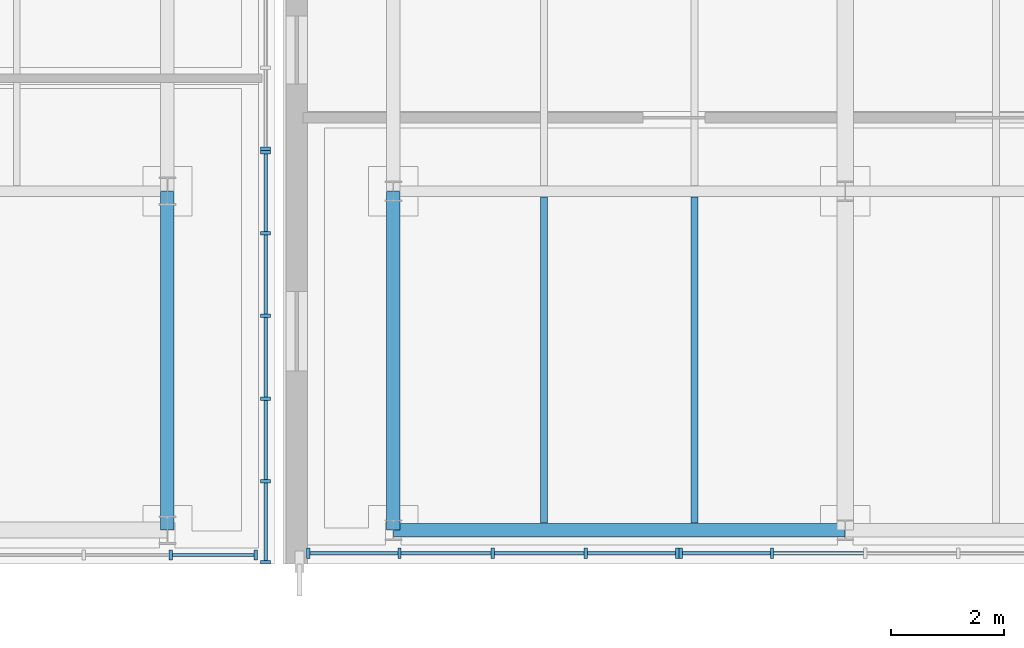
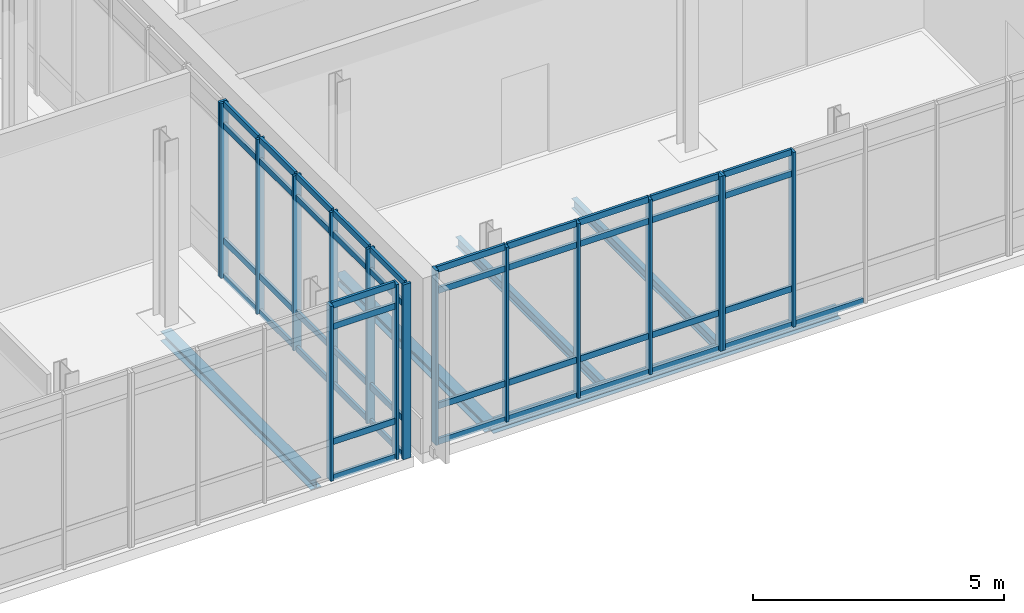
# One storey, part 30 of 100: 61 members, 5 beams, 5 elements without a shape of their own.
"""IFC4 building model written with IfcOpenShell, lengths in metres."""

from ifc_helpers import new_model, si_unit, direction, frame, origin, origin_2d, place, context, subcontext, project, spatial, rectangle, i_section, extrude, material, material_profile, profile_set, type_object, element, aggregate, save


model = new_model("IFC4")

# Units and contexts
model_context = context("Model", 3, precision=1e-05, world=origin(), true_north=direction((0.0, 1.0)))
body_context = subcontext(model_context, "Body", "Model", "MODEL_VIEW")
ifc_project = project(units=[si_unit("LENGTHUNIT", "METRE"), si_unit("AREAUNIT", "SQUARE_METRE"), si_unit("VOLUMEUNIT", "CUBIC_METRE"), si_unit("PLANEANGLEUNIT", "RADIAN"), si_unit("MASSUNIT", "GRAM", prefix="KILO")], contexts=[model_context])

# Site, building, storey
site_placement = place(None, origin())
site = spatial("IfcSite", under=ifc_project, at=site_placement, CompositionType="ELEMENT")
building_placement = place(site_placement, origin())
building = spatial("IfcBuilding", under=site, at=building_placement, Name="Cymarion Research Institute", CompositionType="ELEMENT")
storey_placement = place(building_placement, frame((0.0, 0.0, 9.300048828125)))
storey = spatial("IfcBuildingStorey", under=building, at=storey_placement, Name="L02", CompositionType="ELEMENT", Elevation=9.300048828125)

# Curtain wall, members
ifc_material_1 = material(Name="Anodised aluminium unitised curtain wall with Low-E glazing", Category="aluminium")
curtain_wall_type_1 = type_object("IfcCurtainWallType", Name="UNITISED CURTAIN WALL CW01 6590X4250", PredefinedType="NOTDEFINED", material=ifc_material_1)
curtain_wall_1_placement = place(storey_placement, origin())
curtain_wall_1 = element("IfcCurtainWall", 1, at=curtain_wall_1_placement, inside=storey, type_object=curtain_wall_type_1, Name="L02 V1 unitised curtain wall CW01 #60", PredefinedType="NOTDEFINED")
ifc_material_2 = material(Name="Anodised aluminium framing", Category="aluminium")
ifc_material_profile_1 = material_profile(ifc_material_2, rectangle(XDim=0.06005859375, YDim=0.179931640625, at=origin_2d()), Name="ALU MULLION 60x180")
ifc_profile_set_1 = profile_set([ifc_material_profile_1], Name="Anodised aluminium framing")
member_type_1 = type_object("IfcMemberType", Name="CURTAIN WALL MULLION ML01 60X180", PredefinedType="MULLION", material=ifc_profile_set_1)
member_1_placement = place(storey_placement, frame((105.092041015625, 5.090087890625, 0.0), z_axis=(0.0, 0.0, 1.0), x_axis=(1.0, 0.0, 0.0)))
member_1 = element("IfcMember", 2, at=member_1_placement, type_object=member_type_1, Name="CW01 mullion 1", PredefinedType="MULLION", context=body_context, shape_type="SweptSolid", body=[
    extrude(rectangle(XDim=0.06005859375, YDim=0.179931640625, at=origin_2d()), origin(), (0.0, 0.0, 1.0), 4.25),
])
member_2_placement = place(storey_placement, frame((106.710205078125, 5.090087890625, 0.0), z_axis=(0.0, 0.0, 1.0), x_axis=(1.0, 0.0, 0.0)))
member_2 = element("IfcMember", 3, at=member_2_placement, type_object=member_type_1, Name="CW01 mullion 2", PredefinedType="MULLION", context=body_context, shape_type="SweptSolid", body=[
    extrude(rectangle(XDim=0.06005859375, YDim=0.179931640625, at=origin_2d()), origin(), (0.0, 0.0, 1.0), 4.25),
])
member_3_placement = place(storey_placement, frame((108.358642578125, 5.090087890625, 0.0), z_axis=(0.0, 0.0, 1.0), x_axis=(1.0, 0.0, 0.0)))
member_3 = element("IfcMember", 4, at=member_3_placement, type_object=member_type_1, Name="CW01 mullion 3", PredefinedType="MULLION", context=body_context, shape_type="SweptSolid", body=[
    extrude(rectangle(XDim=0.06005859375, YDim=0.179931640625, at=origin_2d()), origin(), (0.0, 0.0, 1.0), 4.25),
])
member_4_placement = place(storey_placement, frame((110.0068359375, 5.090087890625, 0.0), z_axis=(0.0, 0.0, 1.0), x_axis=(1.0, 0.0, 0.0)))
member_4 = element("IfcMember", 5, at=member_4_placement, type_object=member_type_1, Name="CW01 mullion 4", PredefinedType="MULLION", context=body_context, shape_type="SweptSolid", body=[
    extrude(rectangle(XDim=0.06005859375, YDim=0.179931640625, at=origin_2d()), origin(), (0.0, 0.0, 1.0), 4.25),
])
member_5_placement = place(storey_placement, frame((111.625, 5.090087890625, 0.0), z_axis=(0.0, 0.0, 1.0), x_axis=(1.0, 0.0, 0.0)))
member_5 = element("IfcMember", 6, at=member_5_placement, type_object=member_type_1, Name="CW01 mullion 5", PredefinedType="MULLION", context=body_context, shape_type="SweptSolid", body=[
    extrude(rectangle(XDim=0.06005859375, YDim=0.179931640625, at=origin_2d()), origin(), (0.0, 0.0, 1.0), 4.25),
])

curtain_wall_2_placement = place(storey_placement, origin())
curtain_wall_2 = element("IfcCurtainWall", 7, at=curtain_wall_2_placement, inside=storey, type_object=curtain_wall_type_1, Name="L02 V1 unitised curtain wall CW01 #61", PredefinedType="NOTDEFINED")
member_6_placement = place(storey_placement, frame((111.68505859375, 5.090087890625, 0.0), z_axis=(0.0, 0.0, 1.0), x_axis=(1.0, 0.0, 0.0)))
member_6 = element("IfcMember", 8, at=member_6_placement, type_object=member_type_1, Name="CW01 mullion 1", PredefinedType="MULLION", context=body_context, shape_type="SweptSolid", body=[
    extrude(rectangle(XDim=0.06005859375, YDim=0.179931640625, at=origin_2d()), origin(), (0.0, 0.0, 1.0), 4.25),
])
member_7_placement = place(storey_placement, frame((113.303466796875, 5.090087890625, 0.0), z_axis=(0.0, 0.0, 1.0), x_axis=(1.0, 0.0, 0.0)))
member_7 = element("IfcMember", 9, at=member_7_placement, type_object=member_type_1, Name="CW01 mullion 2", PredefinedType="MULLION", context=body_context, shape_type="SweptSolid", body=[
    extrude(rectangle(XDim=0.06005859375, YDim=0.179931640625, at=origin_2d()), origin(), (0.0, 0.0, 1.0), 4.25),
])

curtain_wall_type_2 = type_object("IfcCurtainWallType", Name="UNITISED CURTAIN WALL CW07 6150X4250", PredefinedType="NOTDEFINED", material=ifc_material_1)
curtain_wall_3_placement = place(storey_placement, origin())
curtain_wall_3 = element("IfcCurtainWall", 10, at=curtain_wall_3_placement, inside=storey, type_object=curtain_wall_type_2, Name="L02 V2 unitised curtain wall CW07 #77", PredefinedType="NOTDEFINED")
member_8_placement = place(storey_placement, frame((102.66064453125, 5.06005859375, 0.0), z_axis=(0.0, 0.0, 1.0), x_axis=(1.0, 0.0, 0.0)))
member_8 = element("IfcMember", 11, at=member_8_placement, type_object=member_type_1, Name="CW07 mullion 4", PredefinedType="MULLION", context=body_context, shape_type="SweptSolid", body=[
    extrude(rectangle(XDim=0.06005859375, YDim=0.179931640625, at=origin_2d()), origin(), (0.0, 0.0, 1.0), 4.25),
])
member_9_placement = place(storey_placement, frame((104.16796875, 5.06005859375, 0.0), z_axis=(0.0, 0.0, 1.0), x_axis=(1.0, 0.0, 0.0)))
member_9 = element("IfcMember", 12, at=member_9_placement, type_object=member_type_1, Name="CW07 mullion 5", PredefinedType="MULLION", context=body_context, shape_type="SweptSolid", body=[
    extrude(rectangle(XDim=0.06005859375, YDim=0.179931640625, at=origin_2d()), origin(), (0.0, 0.0, 1.0), 4.25),
])

curtain_wall_type_3 = type_object("IfcCurtainWallType", Name="UNITISED CURTAIN WALL CW08 7320X4250", PredefinedType="NOTDEFINED", material=ifc_material_1)
curtain_wall_4_placement = place(storey_placement, origin())
curtain_wall_4 = element("IfcCurtainWall", 13, at=curtain_wall_4_placement, inside=storey, type_object=curtain_wall_type_3, Name="L02 V2 unitised curtain wall CW08 #78", PredefinedType="NOTDEFINED")
member_10_placement = place(storey_placement, frame((104.340087890625, 4.929931640625, 0.0), z_axis=(0.0, 0.0, 1.0), x_axis=(0.0, 1.0, 0.0)))
member_10 = element("IfcMember", 14, at=member_10_placement, type_object=member_type_1, Name="CW08 mullion 1", PredefinedType="MULLION", context=body_context, shape_type="SweptSolid", body=[
    extrude(rectangle(XDim=0.06005859375, YDim=0.179931640625, at=origin_2d()), origin(), (0.0, 0.0, 1.0), 4.25),
])
member_11_placement = place(storey_placement, frame((104.340087890625, 6.364013671875, 0.0), z_axis=(0.0, 0.0, 1.0), x_axis=(0.0, 1.0, 0.0)))
member_11 = element("IfcMember", 15, at=member_11_placement, type_object=member_type_1, Name="CW08 mullion 2", PredefinedType="MULLION", context=body_context, shape_type="SweptSolid", body=[
    extrude(rectangle(XDim=0.06005859375, YDim=0.179931640625, at=origin_2d()), origin(), (0.0, 0.0, 1.0), 4.25),
])
member_12_placement = place(storey_placement, frame((104.340087890625, 7.827880859375, 0.0), z_axis=(0.0, 0.0, 1.0), x_axis=(0.0, 1.0, 0.0)))
member_12 = element("IfcMember", 16, at=member_12_placement, type_object=member_type_1, Name="CW08 mullion 3", PredefinedType="MULLION", context=body_context, shape_type="SweptSolid", body=[
    extrude(rectangle(XDim=0.06005859375, YDim=0.179931640625, at=origin_2d()), origin(), (0.0, 0.0, 1.0), 4.25),
])
member_13_placement = place(storey_placement, frame((104.340087890625, 9.2919921875, 0.0), z_axis=(0.0, 0.0, 1.0), x_axis=(0.0, 1.0, 0.0)))
member_13 = element("IfcMember", 17, at=member_13_placement, type_object=member_type_1, Name="CW08 mullion 4", PredefinedType="MULLION", context=body_context, shape_type="SweptSolid", body=[
    extrude(rectangle(XDim=0.06005859375, YDim=0.179931640625, at=origin_2d()), origin(), (0.0, 0.0, 1.0), 4.25),
])
member_14_placement = place(storey_placement, frame((104.340087890625, 10.756103515625, 0.0), z_axis=(0.0, 0.0, 1.0), x_axis=(0.0, 1.0, 0.0)))
member_14 = element("IfcMember", 18, at=member_14_placement, type_object=member_type_1, Name="CW08 mullion 5", PredefinedType="MULLION", context=body_context, shape_type="SweptSolid", body=[
    extrude(rectangle(XDim=0.06005859375, YDim=0.179931640625, at=origin_2d()), origin(), (0.0, 0.0, 1.0), 4.25),
])
member_15_placement = place(storey_placement, frame((104.340087890625, 12.18994140625, 0.0), z_axis=(0.0, 0.0, 1.0), x_axis=(0.0, 1.0, 0.0)))
member_15 = element("IfcMember", 19, at=member_15_placement, type_object=member_type_1, Name="CW08 mullion 6", PredefinedType="MULLION", context=body_context, shape_type="SweptSolid", body=[
    extrude(rectangle(XDim=0.06005859375, YDim=0.179931640625, at=origin_2d()), origin(), (0.0, 0.0, 1.0), 4.25),
])

# Curtain wall, member
curtain_wall_5_placement = place(storey_placement, origin())
curtain_wall_5 = element("IfcCurtainWall", 20, at=curtain_wall_5_placement, inside=storey, type_object=curtain_wall_type_3, Name="L02 V2 unitised curtain wall CW08 #79", PredefinedType="NOTDEFINED")
member_16_placement = place(storey_placement, frame((104.340087890625, 12.25, 0.0), z_axis=(0.0, 0.0, 1.0), x_axis=(0.0, 1.0, 0.0)))
member_16 = element("IfcMember", 21, at=member_16_placement, type_object=member_type_1, Name="CW08 mullion 1", PredefinedType="MULLION", context=body_context, shape_type="SweptSolid", body=[
    extrude(rectangle(XDim=0.06005859375, YDim=0.179931640625, at=origin_2d()), origin(), (0.0, 0.0, 1.0), 4.25),
])
aggregate(curtain_wall_5, [member_16])

# Member
ifc_material_profile_2 = material_profile(ifc_material_2, rectangle(XDim=0.06005859375, YDim=0.14990234375, at=origin_2d()), Name="ALU TRANSOM 60x150")
ifc_profile_set_2 = profile_set([ifc_material_profile_2], Name="Anodised aluminium framing")
member_type_2 = type_object("IfcMemberType", Name="CURTAIN WALL TRANSOM TR01 60X150", PredefinedType="USERDEFINED", material=ifc_profile_set_2)
member_17_placement = place(storey_placement, frame((105.1220703125, 5.090087890625, 0.030029296875), z_axis=(1.0, 0.0, 0.0), x_axis=(0.0, 1.0, 0.0)))
member_17 = element("IfcMember", 22, at=member_17_placement, type_object=member_type_2, Name="CW01 transom 1.1", ObjectType="TRANSOM", PredefinedType="USERDEFINED", context=body_context, shape_type="SweptSolid", body=[
    extrude(rectangle(XDim=0.06005859375, YDim=0.14990234375, at=origin_2d()), origin(), (0.0, 0.0, 1.0), 1.55810546875),
])

member_18_placement = place(storey_placement, frame((105.1220703125, 5.090087890625, 0.89990234375), z_axis=(1.0, 0.0, 0.0), x_axis=(0.0, 1.0, 0.0)))
member_18 = element("IfcMember", 23, at=member_18_placement, type_object=member_type_2, Name="CW01 transom 1.2", ObjectType="TRANSOM", PredefinedType="USERDEFINED", context=body_context, shape_type="SweptSolid", body=[
    extrude(rectangle(XDim=0.06005859375, YDim=0.14990234375, at=origin_2d()), origin(), (0.0, 0.0, 1.0), 1.55810546875),
])

member_19_placement = place(storey_placement, frame((105.1220703125, 5.090087890625, 3.699951171875), z_axis=(1.0, 0.0, 0.0), x_axis=(0.0, 1.0, 0.0)))
member_19 = element("IfcMember", 24, at=member_19_placement, type_object=member_type_2, Name="CW01 transom 1.3", ObjectType="TRANSOM", PredefinedType="USERDEFINED", context=body_context, shape_type="SweptSolid", body=[
    extrude(rectangle(XDim=0.06005859375, YDim=0.14990234375, at=origin_2d()), origin(), (0.0, 0.0, 1.0), 1.55810546875),
])

member_20_placement = place(storey_placement, frame((105.1220703125, 5.090087890625, 4.219970703125), z_axis=(1.0, 0.0, 0.0), x_axis=(0.0, 1.0, 0.0)))
member_20 = element("IfcMember", 25, at=member_20_placement, type_object=member_type_2, Name="CW01 transom 1.4", ObjectType="TRANSOM", PredefinedType="USERDEFINED", context=body_context, shape_type="SweptSolid", body=[
    extrude(rectangle(XDim=0.06005859375, YDim=0.14990234375, at=origin_2d()), origin(), (0.0, 0.0, 1.0), 1.55810546875),
])

member_21_placement = place(storey_placement, frame((106.740234375, 5.090087890625, 0.030029296875), z_axis=(1.0, 0.0, 0.0), x_axis=(0.0, 1.0, 0.0)))
member_21 = element("IfcMember", 26, at=member_21_placement, type_object=member_type_2, Name="CW01 transom 2.1", ObjectType="TRANSOM", PredefinedType="USERDEFINED", context=body_context, shape_type="SweptSolid", body=[
    extrude(rectangle(XDim=0.06005859375, YDim=0.14990234375, at=origin_2d()), origin(), (0.0, 0.0, 1.0), 1.58837890625),
])

member_22_placement = place(storey_placement, frame((106.740234375, 5.090087890625, 0.89990234375), z_axis=(1.0, 0.0, 0.0), x_axis=(0.0, 1.0, 0.0)))
member_22 = element("IfcMember", 27, at=member_22_placement, type_object=member_type_2, Name="CW01 transom 2.2", ObjectType="TRANSOM", PredefinedType="USERDEFINED", context=body_context, shape_type="SweptSolid", body=[
    extrude(rectangle(XDim=0.06005859375, YDim=0.14990234375, at=origin_2d()), origin(), (0.0, 0.0, 1.0), 1.58837890625),
])

member_23_placement = place(storey_placement, frame((106.740234375, 5.090087890625, 3.699951171875), z_axis=(1.0, 0.0, 0.0), x_axis=(0.0, 1.0, 0.0)))
member_23 = element("IfcMember", 28, at=member_23_placement, type_object=member_type_2, Name="CW01 transom 2.3", ObjectType="TRANSOM", PredefinedType="USERDEFINED", context=body_context, shape_type="SweptSolid", body=[
    extrude(rectangle(XDim=0.06005859375, YDim=0.14990234375, at=origin_2d()), origin(), (0.0, 0.0, 1.0), 1.58837890625),
])

member_24_placement = place(storey_placement, frame((106.740234375, 5.090087890625, 4.219970703125), z_axis=(1.0, 0.0, 0.0), x_axis=(0.0, 1.0, 0.0)))
member_24 = element("IfcMember", 29, at=member_24_placement, type_object=member_type_2, Name="CW01 transom 2.4", ObjectType="TRANSOM", PredefinedType="USERDEFINED", context=body_context, shape_type="SweptSolid", body=[
    extrude(rectangle(XDim=0.06005859375, YDim=0.14990234375, at=origin_2d()), origin(), (0.0, 0.0, 1.0), 1.58837890625),
])

member_25_placement = place(storey_placement, frame((108.388671875, 5.090087890625, 0.030029296875), z_axis=(1.0, 0.0, 0.0), x_axis=(0.0, 1.0, 0.0)))
member_25 = element("IfcMember", 30, at=member_25_placement, type_object=member_type_2, Name="CW01 transom 3.1", ObjectType="TRANSOM", PredefinedType="USERDEFINED", context=body_context, shape_type="SweptSolid", body=[
    extrude(rectangle(XDim=0.06005859375, YDim=0.14990234375, at=origin_2d()), origin(), (0.0, 0.0, 1.0), 1.588134765625),
])

member_26_placement = place(storey_placement, frame((108.388671875, 5.090087890625, 0.89990234375), z_axis=(1.0, 0.0, 0.0), x_axis=(0.0, 1.0, 0.0)))
member_26 = element("IfcMember", 31, at=member_26_placement, type_object=member_type_2, Name="CW01 transom 3.2", ObjectType="TRANSOM", PredefinedType="USERDEFINED", context=body_context, shape_type="SweptSolid", body=[
    extrude(rectangle(XDim=0.06005859375, YDim=0.14990234375, at=origin_2d()), origin(), (0.0, 0.0, 1.0), 1.588134765625),
])

member_27_placement = place(storey_placement, frame((108.388671875, 5.090087890625, 3.699951171875), z_axis=(1.0, 0.0, 0.0), x_axis=(0.0, 1.0, 0.0)))
member_27 = element("IfcMember", 32, at=member_27_placement, type_object=member_type_2, Name="CW01 transom 3.3", ObjectType="TRANSOM", PredefinedType="USERDEFINED", context=body_context, shape_type="SweptSolid", body=[
    extrude(rectangle(XDim=0.06005859375, YDim=0.14990234375, at=origin_2d()), origin(), (0.0, 0.0, 1.0), 1.588134765625),
])

member_28_placement = place(storey_placement, frame((108.388671875, 5.090087890625, 4.219970703125), z_axis=(1.0, 0.0, 0.0), x_axis=(0.0, 1.0, 0.0)))
member_28 = element("IfcMember", 33, at=member_28_placement, type_object=member_type_2, Name="CW01 transom 3.4", ObjectType="TRANSOM", PredefinedType="USERDEFINED", context=body_context, shape_type="SweptSolid", body=[
    extrude(rectangle(XDim=0.06005859375, YDim=0.14990234375, at=origin_2d()), origin(), (0.0, 0.0, 1.0), 1.588134765625),
])

member_29_placement = place(storey_placement, frame((110.036865234375, 5.090087890625, 0.030029296875), z_axis=(1.0, 0.0, 0.0), x_axis=(0.0, 1.0, 0.0)))
member_29 = element("IfcMember", 34, at=member_29_placement, type_object=member_type_2, Name="CW01 transom 4.1", ObjectType="TRANSOM", PredefinedType="USERDEFINED", context=body_context, shape_type="SweptSolid", body=[
    extrude(rectangle(XDim=0.06005859375, YDim=0.14990234375, at=origin_2d()), origin(), (0.0, 0.0, 1.0), 1.558349609375),
])

member_30_placement = place(storey_placement, frame((110.036865234375, 5.090087890625, 0.89990234375), z_axis=(1.0, 0.0, 0.0), x_axis=(0.0, 1.0, 0.0)))
member_30 = element("IfcMember", 35, at=member_30_placement, type_object=member_type_2, Name="CW01 transom 4.2", ObjectType="TRANSOM", PredefinedType="USERDEFINED", context=body_context, shape_type="SweptSolid", body=[
    extrude(rectangle(XDim=0.06005859375, YDim=0.14990234375, at=origin_2d()), origin(), (0.0, 0.0, 1.0), 1.558349609375),
])

member_31_placement = place(storey_placement, frame((110.036865234375, 5.090087890625, 3.699951171875), z_axis=(1.0, 0.0, 0.0), x_axis=(0.0, 1.0, 0.0)))
member_31 = element("IfcMember", 36, at=member_31_placement, type_object=member_type_2, Name="CW01 transom 4.3", ObjectType="TRANSOM", PredefinedType="USERDEFINED", context=body_context, shape_type="SweptSolid", body=[
    extrude(rectangle(XDim=0.06005859375, YDim=0.14990234375, at=origin_2d()), origin(), (0.0, 0.0, 1.0), 1.558349609375),
])

member_32_placement = place(storey_placement, frame((110.036865234375, 5.090087890625, 4.219970703125), z_axis=(1.0, 0.0, 0.0), x_axis=(0.0, 1.0, 0.0)))
member_32 = element("IfcMember", 37, at=member_32_placement, type_object=member_type_2, Name="CW01 transom 4.4", ObjectType="TRANSOM", PredefinedType="USERDEFINED", context=body_context, shape_type="SweptSolid", body=[
    extrude(rectangle(XDim=0.06005859375, YDim=0.14990234375, at=origin_2d()), origin(), (0.0, 0.0, 1.0), 1.558349609375),
])

aggregate(curtain_wall_1, [member_1, member_2, member_3, member_4, member_5, member_17, member_18, member_19, member_20, member_21, member_22, member_23, member_24, member_25, member_26, member_27, member_28, member_29, member_30, member_31, member_32])

member_33_placement = place(storey_placement, frame((111.715087890625, 5.090087890625, 0.030029296875), z_axis=(1.0, 0.0, 0.0), x_axis=(0.0, 1.0, 0.0)))
member_33 = element("IfcMember", 38, at=member_33_placement, type_object=member_type_2, Name="CW01 transom 1.1", ObjectType="TRANSOM", PredefinedType="USERDEFINED", context=body_context, shape_type="SweptSolid", body=[
    extrude(rectangle(XDim=0.06005859375, YDim=0.14990234375, at=origin_2d()), origin(), (0.0, 0.0, 1.0), 1.558349609375),
])

member_34_placement = place(storey_placement, frame((111.715087890625, 5.090087890625, 0.89990234375), z_axis=(1.0, 0.0, 0.0), x_axis=(0.0, 1.0, 0.0)))
member_34 = element("IfcMember", 39, at=member_34_placement, type_object=member_type_2, Name="CW01 transom 1.2", ObjectType="TRANSOM", PredefinedType="USERDEFINED", context=body_context, shape_type="SweptSolid", body=[
    extrude(rectangle(XDim=0.06005859375, YDim=0.14990234375, at=origin_2d()), origin(), (0.0, 0.0, 1.0), 1.558349609375),
])

member_35_placement = place(storey_placement, frame((111.715087890625, 5.090087890625, 3.699951171875), z_axis=(1.0, 0.0, 0.0), x_axis=(0.0, 1.0, 0.0)))
member_35 = element("IfcMember", 40, at=member_35_placement, type_object=member_type_2, Name="CW01 transom 1.3", ObjectType="TRANSOM", PredefinedType="USERDEFINED", context=body_context, shape_type="SweptSolid", body=[
    extrude(rectangle(XDim=0.06005859375, YDim=0.14990234375, at=origin_2d()), origin(), (0.0, 0.0, 1.0), 1.558349609375),
])

member_36_placement = place(storey_placement, frame((111.715087890625, 5.090087890625, 4.219970703125), z_axis=(1.0, 0.0, 0.0), x_axis=(0.0, 1.0, 0.0)))
member_36 = element("IfcMember", 41, at=member_36_placement, type_object=member_type_2, Name="CW01 transom 1.4", ObjectType="TRANSOM", PredefinedType="USERDEFINED", context=body_context, shape_type="SweptSolid", body=[
    extrude(rectangle(XDim=0.06005859375, YDim=0.14990234375, at=origin_2d()), origin(), (0.0, 0.0, 1.0), 1.558349609375),
])

member_37_placement = place(storey_placement, frame((113.33349609375, 5.090087890625, 0.030029296875), z_axis=(1.0, 0.0, 0.0), x_axis=(0.0, 1.0, 0.0)))
member_37 = element("IfcMember", 42, at=member_37_placement, type_object=member_type_2, Name="CW01 transom 2.1", ObjectType="TRANSOM", PredefinedType="USERDEFINED", context=body_context, shape_type="SweptSolid", body=[
    extrude(rectangle(XDim=0.06005859375, YDim=0.14990234375, at=origin_2d()), origin(), (0.0, 0.0, 1.0), 1.588134765625),
])

aggregate(curtain_wall_2, [member_6, member_7, member_33, member_34, member_35, member_36, member_37])

member_38_placement = place(storey_placement, frame((102.690673828125, 5.06005859375, 0.030029296875), z_axis=(1.0, 0.0, 0.0), x_axis=(0.0, 1.0, 0.0)))
member_38 = element("IfcMember", 43, at=member_38_placement, type_object=member_type_2, Name="CW07 transom 4.1", ObjectType="TRANSOM", PredefinedType="USERDEFINED", context=body_context, shape_type="SweptSolid", body=[
    extrude(rectangle(XDim=0.06005859375, YDim=0.14990234375, at=origin_2d()), origin(), (0.0, 0.0, 1.0), 1.447265625),
])

member_39_placement = place(storey_placement, frame((102.690673828125, 5.06005859375, 0.89990234375), z_axis=(1.0, 0.0, 0.0), x_axis=(0.0, 1.0, 0.0)))
member_39 = element("IfcMember", 44, at=member_39_placement, type_object=member_type_2, Name="CW07 transom 4.2", ObjectType="TRANSOM", PredefinedType="USERDEFINED", context=body_context, shape_type="SweptSolid", body=[
    extrude(rectangle(XDim=0.06005859375, YDim=0.14990234375, at=origin_2d()), origin(), (0.0, 0.0, 1.0), 1.447265625),
])

member_40_placement = place(storey_placement, frame((102.690673828125, 5.06005859375, 3.699951171875), z_axis=(1.0, 0.0, 0.0), x_axis=(0.0, 1.0, 0.0)))
member_40 = element("IfcMember", 45, at=member_40_placement, type_object=member_type_2, Name="CW07 transom 4.3", ObjectType="TRANSOM", PredefinedType="USERDEFINED", context=body_context, shape_type="SweptSolid", body=[
    extrude(rectangle(XDim=0.06005859375, YDim=0.14990234375, at=origin_2d()), origin(), (0.0, 0.0, 1.0), 1.447265625),
])

member_41_placement = place(storey_placement, frame((102.690673828125, 5.06005859375, 4.219970703125), z_axis=(1.0, 0.0, 0.0), x_axis=(0.0, 1.0, 0.0)))
member_41 = element("IfcMember", 46, at=member_41_placement, type_object=member_type_2, Name="CW07 transom 4.4", ObjectType="TRANSOM", PredefinedType="USERDEFINED", context=body_context, shape_type="SweptSolid", body=[
    extrude(rectangle(XDim=0.06005859375, YDim=0.14990234375, at=origin_2d()), origin(), (0.0, 0.0, 1.0), 1.447265625),
])

aggregate(curtain_wall_3, [member_8, member_9, member_38, member_39, member_40, member_41])

member_42_placement = place(storey_placement, frame((104.340087890625, 4.9599609375, 0.030029296875), z_axis=(0.0, 1.0, 0.0), x_axis=(-1.0, 0.0, 0.0)))
member_42 = element("IfcMember", 47, at=member_42_placement, type_object=member_type_2, Name="CW08 transom 1.1", ObjectType="TRANSOM", PredefinedType="USERDEFINED", context=body_context, shape_type="SweptSolid", body=[
    extrude(rectangle(XDim=0.06005859375, YDim=0.14990234375, at=origin_2d()), origin(), (0.0, 0.0, 1.0), 1.3740234375),
])

member_43_placement = place(storey_placement, frame((104.340087890625, 4.9599609375, 0.89990234375), z_axis=(0.0, 1.0, 0.0), x_axis=(-1.0, 0.0, 0.0)))
member_43 = element("IfcMember", 48, at=member_43_placement, type_object=member_type_2, Name="CW08 transom 1.2", ObjectType="TRANSOM", PredefinedType="USERDEFINED", context=body_context, shape_type="SweptSolid", body=[
    extrude(rectangle(XDim=0.06005859375, YDim=0.14990234375, at=origin_2d()), origin(), (0.0, 0.0, 1.0), 1.3740234375),
])

member_44_placement = place(storey_placement, frame((104.340087890625, 4.9599609375, 3.699951171875), z_axis=(0.0, 1.0, 0.0), x_axis=(-1.0, 0.0, 0.0)))
member_44 = element("IfcMember", 49, at=member_44_placement, type_object=member_type_2, Name="CW08 transom 1.3", ObjectType="TRANSOM", PredefinedType="USERDEFINED", context=body_context, shape_type="SweptSolid", body=[
    extrude(rectangle(XDim=0.06005859375, YDim=0.14990234375, at=origin_2d()), origin(), (0.0, 0.0, 1.0), 1.3740234375),
])

member_45_placement = place(storey_placement, frame((104.340087890625, 4.9599609375, 4.219970703125), z_axis=(0.0, 1.0, 0.0), x_axis=(-1.0, 0.0, 0.0)))
member_45 = element("IfcMember", 50, at=member_45_placement, type_object=member_type_2, Name="CW08 transom 1.4", ObjectType="TRANSOM", PredefinedType="USERDEFINED", context=body_context, shape_type="SweptSolid", body=[
    extrude(rectangle(XDim=0.06005859375, YDim=0.14990234375, at=origin_2d()), origin(), (0.0, 0.0, 1.0), 1.3740234375),
])

member_46_placement = place(storey_placement, frame((104.340087890625, 6.39404296875, 0.030029296875), z_axis=(0.0, 1.0, 0.0), x_axis=(-1.0, 0.0, 0.0)))
member_46 = element("IfcMember", 51, at=member_46_placement, type_object=member_type_2, Name="CW08 transom 2.1", ObjectType="TRANSOM", PredefinedType="USERDEFINED", context=body_context, shape_type="SweptSolid", body=[
    extrude(rectangle(XDim=0.06005859375, YDim=0.14990234375, at=origin_2d()), origin(), (0.0, 0.0, 1.0), 1.404052734375),
])

member_47_placement = place(storey_placement, frame((104.340087890625, 6.39404296875, 0.89990234375), z_axis=(0.0, 1.0, 0.0), x_axis=(-1.0, 0.0, 0.0)))
member_47 = element("IfcMember", 52, at=member_47_placement, type_object=member_type_2, Name="CW08 transom 2.2", ObjectType="TRANSOM", PredefinedType="USERDEFINED", context=body_context, shape_type="SweptSolid", body=[
    extrude(rectangle(XDim=0.06005859375, YDim=0.14990234375, at=origin_2d()), origin(), (0.0, 0.0, 1.0), 1.404052734375),
])

member_48_placement = place(storey_placement, frame((104.340087890625, 6.39404296875, 3.699951171875), z_axis=(0.0, 1.0, 0.0), x_axis=(-1.0, 0.0, 0.0)))
member_48 = element("IfcMember", 53, at=member_48_placement, type_object=member_type_2, Name="CW08 transom 2.3", ObjectType="TRANSOM", PredefinedType="USERDEFINED", context=body_context, shape_type="SweptSolid", body=[
    extrude(rectangle(XDim=0.06005859375, YDim=0.14990234375, at=origin_2d()), origin(), (0.0, 0.0, 1.0), 1.404052734375),
])

member_49_placement = place(storey_placement, frame((104.340087890625, 6.39404296875, 4.219970703125), z_axis=(0.0, 1.0, 0.0), x_axis=(-1.0, 0.0, 0.0)))
member_49 = element("IfcMember", 54, at=member_49_placement, type_object=member_type_2, Name="CW08 transom 2.4", ObjectType="TRANSOM", PredefinedType="USERDEFINED", context=body_context, shape_type="SweptSolid", body=[
    extrude(rectangle(XDim=0.06005859375, YDim=0.14990234375, at=origin_2d()), origin(), (0.0, 0.0, 1.0), 1.404052734375),
])

member_50_placement = place(storey_placement, frame((104.340087890625, 7.85791015625, 0.030029296875), z_axis=(0.0, 1.0, 0.0), x_axis=(-1.0, 0.0, 0.0)))
member_50 = element("IfcMember", 55, at=member_50_placement, type_object=member_type_2, Name="CW08 transom 3.1", ObjectType="TRANSOM", PredefinedType="USERDEFINED", context=body_context, shape_type="SweptSolid", body=[
    extrude(rectangle(XDim=0.06005859375, YDim=0.14990234375, at=origin_2d()), origin(), (0.0, 0.0, 1.0), 1.404052734375),
])

member_51_placement = place(storey_placement, frame((104.340087890625, 7.85791015625, 0.89990234375), z_axis=(0.0, 1.0, 0.0), x_axis=(-1.0, 0.0, 0.0)))
member_51 = element("IfcMember", 56, at=member_51_placement, type_object=member_type_2, Name="CW08 transom 3.2", ObjectType="TRANSOM", PredefinedType="USERDEFINED", context=body_context, shape_type="SweptSolid", body=[
    extrude(rectangle(XDim=0.06005859375, YDim=0.14990234375, at=origin_2d()), origin(), (0.0, 0.0, 1.0), 1.404052734375),
])

member_52_placement = place(storey_placement, frame((104.340087890625, 7.85791015625, 3.699951171875), z_axis=(0.0, 1.0, 0.0), x_axis=(-1.0, 0.0, 0.0)))
member_52 = element("IfcMember", 57, at=member_52_placement, type_object=member_type_2, Name="CW08 transom 3.3", ObjectType="TRANSOM", PredefinedType="USERDEFINED", context=body_context, shape_type="SweptSolid", body=[
    extrude(rectangle(XDim=0.06005859375, YDim=0.14990234375, at=origin_2d()), origin(), (0.0, 0.0, 1.0), 1.404052734375),
])

member_53_placement = place(storey_placement, frame((104.340087890625, 7.85791015625, 4.219970703125), z_axis=(0.0, 1.0, 0.0), x_axis=(-1.0, 0.0, 0.0)))
member_53 = element("IfcMember", 58, at=member_53_placement, type_object=member_type_2, Name="CW08 transom 3.4", ObjectType="TRANSOM", PredefinedType="USERDEFINED", context=body_context, shape_type="SweptSolid", body=[
    extrude(rectangle(XDim=0.06005859375, YDim=0.14990234375, at=origin_2d()), origin(), (0.0, 0.0, 1.0), 1.404052734375),
])

member_54_placement = place(storey_placement, frame((104.340087890625, 9.322021484375, 0.030029296875), z_axis=(0.0, 1.0, 0.0), x_axis=(-1.0, 0.0, 0.0)))
member_54 = element("IfcMember", 59, at=member_54_placement, type_object=member_type_2, Name="CW08 transom 4.1", ObjectType="TRANSOM", PredefinedType="USERDEFINED", context=body_context, shape_type="SweptSolid", body=[
    extrude(rectangle(XDim=0.06005859375, YDim=0.14990234375, at=origin_2d()), origin(), (0.0, 0.0, 1.0), 1.404052734375),
])

member_55_placement = place(storey_placement, frame((104.340087890625, 9.322021484375, 0.89990234375), z_axis=(0.0, 1.0, 0.0), x_axis=(-1.0, 0.0, 0.0)))
member_55 = element("IfcMember", 60, at=member_55_placement, type_object=member_type_2, Name="CW08 transom 4.2", ObjectType="TRANSOM", PredefinedType="USERDEFINED", context=body_context, shape_type="SweptSolid", body=[
    extrude(rectangle(XDim=0.06005859375, YDim=0.14990234375, at=origin_2d()), origin(), (0.0, 0.0, 1.0), 1.404052734375),
])

member_56_placement = place(storey_placement, frame((104.340087890625, 9.322021484375, 3.699951171875), z_axis=(0.0, 1.0, 0.0), x_axis=(-1.0, 0.0, 0.0)))
member_56 = element("IfcMember", 61, at=member_56_placement, type_object=member_type_2, Name="CW08 transom 4.3", ObjectType="TRANSOM", PredefinedType="USERDEFINED", context=body_context, shape_type="SweptSolid", body=[
    extrude(rectangle(XDim=0.06005859375, YDim=0.14990234375, at=origin_2d()), origin(), (0.0, 0.0, 1.0), 1.404052734375),
])

member_57_placement = place(storey_placement, frame((104.340087890625, 9.322021484375, 4.219970703125), z_axis=(0.0, 1.0, 0.0), x_axis=(-1.0, 0.0, 0.0)))
member_57 = element("IfcMember", 62, at=member_57_placement, type_object=member_type_2, Name="CW08 transom 4.4", ObjectType="TRANSOM", PredefinedType="USERDEFINED", context=body_context, shape_type="SweptSolid", body=[
    extrude(rectangle(XDim=0.06005859375, YDim=0.14990234375, at=origin_2d()), origin(), (0.0, 0.0, 1.0), 1.404052734375),
])

member_58_placement = place(storey_placement, frame((104.340087890625, 10.785888671875, 0.030029296875), z_axis=(0.0, 1.0, 0.0), x_axis=(-1.0, 0.0, 0.0)))
member_58 = element("IfcMember", 63, at=member_58_placement, type_object=member_type_2, Name="CW08 transom 5.1", ObjectType="TRANSOM", PredefinedType="USERDEFINED", context=body_context, shape_type="SweptSolid", body=[
    extrude(rectangle(XDim=0.06005859375, YDim=0.14990234375, at=origin_2d()), origin(), (0.0, 0.0, 1.0), 1.3740234375),
])

member_59_placement = place(storey_placement, frame((104.340087890625, 10.785888671875, 0.89990234375), z_axis=(0.0, 1.0, 0.0), x_axis=(-1.0, 0.0, 0.0)))
member_59 = element("IfcMember", 64, at=member_59_placement, type_object=member_type_2, Name="CW08 transom 5.2", ObjectType="TRANSOM", PredefinedType="USERDEFINED", context=body_context, shape_type="SweptSolid", body=[
    extrude(rectangle(XDim=0.06005859375, YDim=0.14990234375, at=origin_2d()), origin(), (0.0, 0.0, 1.0), 1.3740234375),
])

member_60_placement = place(storey_placement, frame((104.340087890625, 10.785888671875, 3.699951171875), z_axis=(0.0, 1.0, 0.0), x_axis=(-1.0, 0.0, 0.0)))
member_60 = element("IfcMember", 65, at=member_60_placement, type_object=member_type_2, Name="CW08 transom 5.3", ObjectType="TRANSOM", PredefinedType="USERDEFINED", context=body_context, shape_type="SweptSolid", body=[
    extrude(rectangle(XDim=0.06005859375, YDim=0.14990234375, at=origin_2d()), origin(), (0.0, 0.0, 1.0), 1.3740234375),
])

member_61_placement = place(storey_placement, frame((104.340087890625, 10.785888671875, 4.219970703125), z_axis=(0.0, 1.0, 0.0), x_axis=(-1.0, 0.0, 0.0)))
member_61 = element("IfcMember", 66, at=member_61_placement, type_object=member_type_2, Name="CW08 transom 5.4", ObjectType="TRANSOM", PredefinedType="USERDEFINED", context=body_context, shape_type="SweptSolid", body=[
    extrude(rectangle(XDim=0.06005859375, YDim=0.14990234375, at=origin_2d()), origin(), (0.0, 0.0, 1.0), 1.3740234375),
])

aggregate(curtain_wall_4, [member_10, member_11, member_12, member_13, member_14, member_15, member_42, member_43, member_44, member_45, member_46, member_47, member_48, member_49, member_50, member_51, member_52, member_53, member_54, member_55, member_56, member_57, member_58, member_59, member_60, member_61])

# Beams
ifc_material_3 = material(Name="Steel S355", Category="steel")
ifc_material_profile_3 = material_profile(ifc_material_3, i_section(OverallWidth=0.1201171875, OverallDepth=0.239990234375, WebThickness=0.006103515625, FlangeThickness=0.009765625, FilletRadius=0.014892578125, at=origin_2d()), Name="IPE 240")
ifc_profile_set_3 = profile_set([ifc_material_profile_3], Name="Steel S355")
beam_type_1 = type_object("IfcBeamType", Name="SECONDARY JOIST JS04 IPE 240", PredefinedType="JOIST", material=ifc_profile_set_3)
for number, where, z_axis, x_axis, name in (
    (67, (109.2666015625, 5.6240234375, -0.3701171875), (0.0, 1.0, 0.0), (-1.0, 0.0, 0.0), "L02 V1 secondary joist JS04 #834"),
    (68, (111.933349609375, 5.6240234375, -0.3701171875), (0.0, 1.0, 0.0), (-1.0, 0.0, 0.0), "L02 V1 secondary joist JS04 #835"),
):
    element("IfcBeam", number, at=place(storey_placement, frame(where, z_axis=z_axis, x_axis=x_axis)), inside=storey, type_object=beam_type_1, Name=name, PredefinedType="JOIST", context=body_context, shape_type="SweptSolid", body=[
        extrude(i_section(OverallWidth=0.1201171875, OverallDepth=0.239990234375, WebThickness=0.006103515625, FlangeThickness=0.009765625, FilletRadius=0.014892578125, at=origin_2d()), origin(), (0.0, 0.0, 1.0), 5.77685546875),
    ])
ifc_material_profile_4 = material_profile(ifc_material_3, i_section(OverallWidth=0.239990234375, OverallDepth=0.22998046875, WebThickness=0.007568359375, FlangeThickness=0.011962890625, FilletRadius=0.02099609375, at=origin_2d()), Name="HEA 240")
ifc_profile_set_4 = profile_set([ifc_material_profile_4], Name="Steel S355")
beam_type_2 = type_object("IfcBeamType", Name="SPANDREL BEAM SPB03 HEA 240", PredefinedType="SPANDREL", material=ifc_profile_set_4)
beam_placement = place(storey_placement, frame((106.60595703125, 5.5, -0.364990234375), z_axis=(1.0, 0.0, 0.0), x_axis=(0.0, 1.0, 0.0)))
element("IfcBeam", 69, at=beam_placement, inside=storey, type_object=beam_type_2, Name="L02 V1 girder SPB03 #761", PredefinedType="SPANDREL", context=body_context, shape_type="SweptSolid", body=[
    extrude(i_section(OverallWidth=0.239990234375, OverallDepth=0.22998046875, WebThickness=0.007568359375, FlangeThickness=0.011962890625, FilletRadius=0.02099609375, at=origin_2d()), origin(), (0.0, 0.0, 1.0), 7.988037109375),
])
for number, where, z_axis, x_axis, name in (
    (70, (106.60009765625, 5.506103515625, -0.364990234375), (0.0, 1.0, 0.0), (-1.0, 0.0, 0.0), "L02 V1 girder SPB03 #789"),
    (71, (102.60009765625, 5.506103515625, -0.364990234375), (0.0, 1.0, 0.0), (-1.0, 0.0, 0.0), "L02 V2 girder SPB03 #924"),
):
    element("IfcBeam", number, at=place(storey_placement, frame(where, z_axis=z_axis, x_axis=x_axis)), inside=storey, type_object=beam_type_2, Name=name, PredefinedType="SPANDREL", context=body_context, shape_type="SweptSolid", body=[
        extrude(i_section(OverallWidth=0.239990234375, OverallDepth=0.22998046875, WebThickness=0.007568359375, FlangeThickness=0.011962890625, FilletRadius=0.02099609375, at=origin_2d()), origin(), (0.0, 0.0, 1.0), 5.98779296875),
    ])

save(model, "model.ifc")
